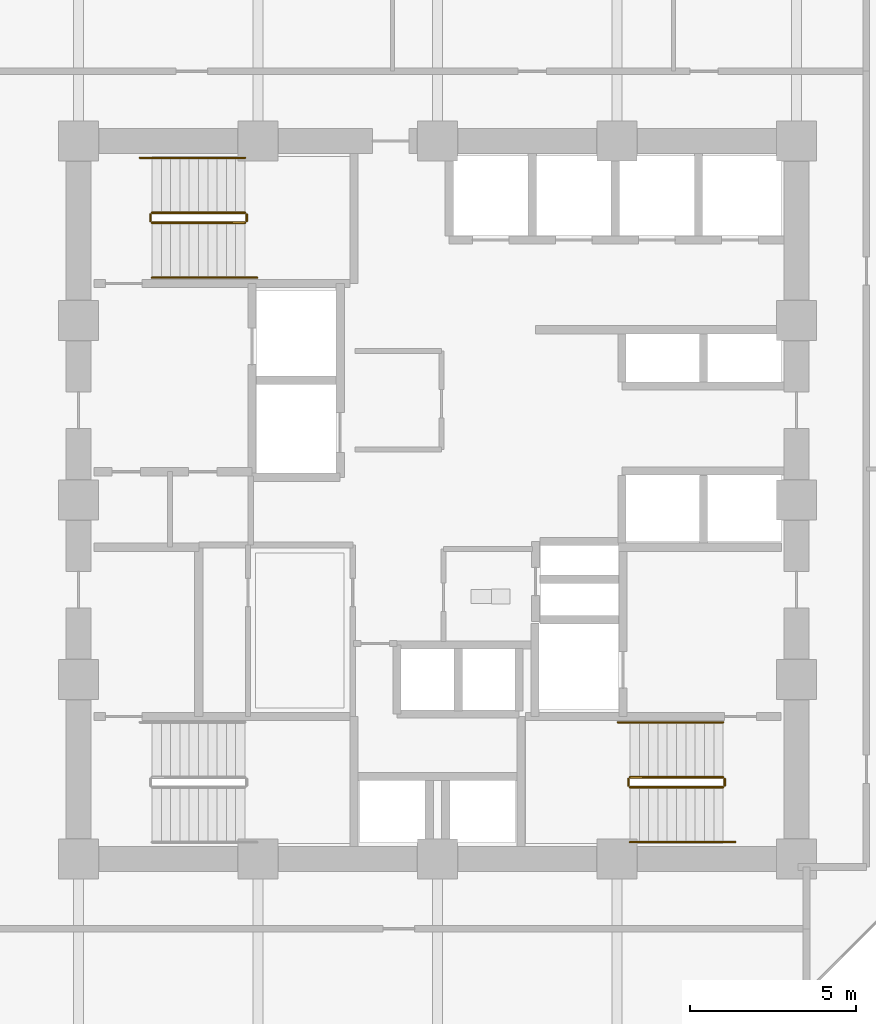
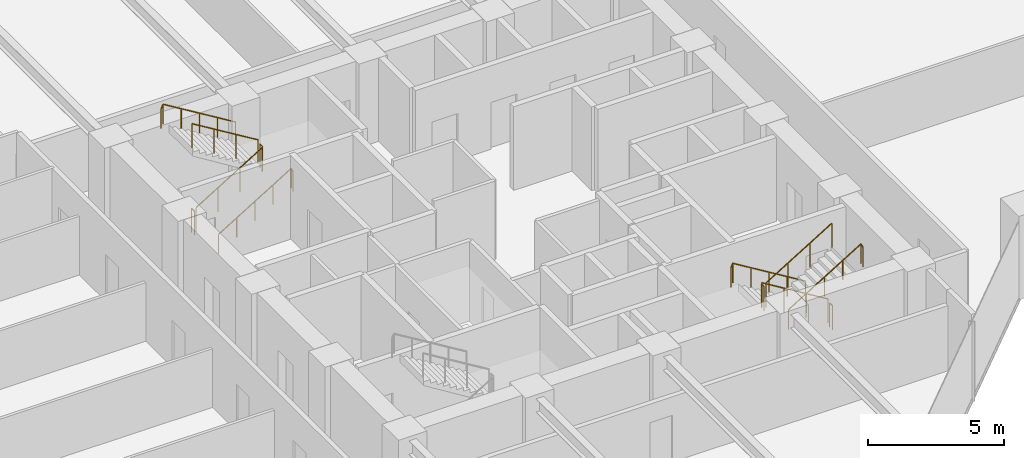
# One storey, part 24 of 25: 12 railings.
"""IFC4 building model written with IfcOpenShell, lengths in metres."""

from ifc_helpers import new_model, si_unit, direction, frame, origin, origin_2d, place, context, subcontext, project, spatial, circle, extrude, material, type_object, element, save


model = new_model("IFC4")

# Units and contexts
model_context = context("Model", 3, precision=1e-05, world=origin(), true_north=direction((0.0, 1.0)))
body_context = subcontext(model_context, "Body", "Model", "MODEL_VIEW")
ifc_project = project(units=[si_unit("LENGTHUNIT", "METRE"), si_unit("AREAUNIT", "SQUARE_METRE"), si_unit("VOLUMEUNIT", "CUBIC_METRE"), si_unit("PLANEANGLEUNIT", "RADIAN"), si_unit("MASSUNIT", "GRAM", prefix="KILO")], contexts=[model_context])

# Site, building, storey
site_placement = place(None, origin())
site = spatial("IfcSite", under=ifc_project, at=site_placement, CompositionType="ELEMENT")
building_placement = place(site_placement, origin())
building = spatial("IfcBuilding", under=site, at=building_placement, Name="Surkhivell Harbour Commons", CompositionType="ELEMENT")
storey_placement = place(building_placement, frame((0.0, 0.0, 41.25)))
storey = spatial("IfcBuildingStorey", under=building, at=storey_placement, Name="L10", CompositionType="ELEMENT", Elevation=41.25)

# Railings
ifc_material_1 = material(Name="Galvanised and painted steel S355 guard rail", Category="steel")
railing_type_1 = type_object("IfcRailingType", Name="RAL-ST-GRD1100", PredefinedType="GUARDRAIL", material=ifc_material_1)
railing_1_placement = place(storey_placement, frame((-8.590087890625, 8.340087890625, 0.17041015625)))
element("IfcRailing", 1, at=railing_1_placement, inside=storey, type_object=railing_type_1, Name="L10 ST1 stair guard 1", PredefinedType="GUARDRAIL", context=body_context, shape_type="SweptSolid", body=[
    extrude(circle(Radius=0.02392578125, at=origin_2d()), frame((0.0, 0.0, 1.076171875), z_axis=(0.854169791009, 0.0, 0.51999420009), x_axis=(0.0, 1.0, 0.0)), (0.0, 0.0, 1.0), 3.278076171875),
    extrude(circle(Radius=0.02099609375, at=origin_2d()), origin(), (0.0, 0.0, 1.0), 1.052001953125),
    extrude(circle(Radius=0.02099609375, at=origin_2d()), frame((0.933349609375, 0.0, 0.568115234375)), (0.0, 0.0, 1.0), 1.052001953125),
    extrude(circle(Radius=0.02099609375, at=origin_2d()), frame((1.86669921875, 0.0, 1.136474609375)), (0.0, 0.0, 1.0), 1.052001953125),
    extrude(circle(Radius=0.02099609375, at=origin_2d()), frame((2.800048828125, 0.0, 1.70458984375)), (0.0, 0.0, 1.0), 1.052001953125),
])
railing_2_placement = place(storey_placement, frame((-5.739990234375, 8.389892578125, 1.875)))
element("IfcRailing", 2, at=railing_2_placement, inside=storey, type_object=railing_type_1, Name="L10 ST1 stair guard 2", PredefinedType="GUARDRAIL", context=body_context, shape_type="SweptSolid", body=[
    extrude(circle(Radius=0.02392578125, at=origin_2d()), frame((0.0, 0.0, 1.076171875), z_axis=(0.0, 1.0, 0.0), x_axis=(-1.0, 0.0, 0.0)), (0.0, 0.0, 1.0), 0.2001953125),
    extrude(circle(Radius=0.02099609375, at=origin_2d()), origin(), (0.0, 0.0, 1.0), 1.052001953125),
    extrude(circle(Radius=0.02099609375, at=origin_2d()), frame((0.0, 0.2001953125, 0.0)), (0.0, 0.0, 1.0), 1.052001953125),
])
railing_3_placement = place(storey_placement, frame((-5.7900390625, 8.639892578125, 2.04541015625)))
element("IfcRailing", 3, at=railing_3_placement, inside=storey, type_object=railing_type_1, Name="L10 ST1 stair guard 3", PredefinedType="GUARDRAIL", context=body_context, shape_type="SweptSolid", body=[
    extrude(circle(Radius=0.02392578125, at=origin_2d()), frame((0.0, 0.0, 1.076171875), z_axis=(-0.854169791009, 0.0, 0.51999420009), x_axis=(0.0, -1.0, 0.0)), (0.0, 0.0, 1.0), 3.278076171875),
    extrude(circle(Radius=0.02099609375, at=origin_2d()), origin(), (0.0, 0.0, 1.0), 1.052001953125),
    extrude(circle(Radius=0.02099609375, at=origin_2d()), frame((-0.933349609375, 0.0, 0.568115234375)), (0.0, 0.0, 1.0), 1.052001953125),
    extrude(circle(Radius=0.02099609375, at=origin_2d()), frame((-1.86669921875, 0.0, 1.136474609375)), (0.0, 0.0, 1.0), 1.052001953125),
    extrude(circle(Radius=0.02099609375, at=origin_2d()), frame((-2.800048828125, 0.0, 1.70458984375)), (0.0, 0.0, 1.0), 1.052001953125),
])
railing_4_placement = place(storey_placement, frame((-8.639892578125, 8.389892578125, 0.0)))
element("IfcRailing", 4, at=railing_4_placement, inside=storey, type_object=railing_type_1, Name="L10 ST1 stair guard 4", PredefinedType="GUARDRAIL", context=body_context, shape_type="SweptSolid", body=[
    extrude(circle(Radius=0.02392578125, at=origin_2d()), frame((0.0, 0.0, 1.076171875), z_axis=(0.0, 1.0, 0.0), x_axis=(-1.0, 0.0, 0.0)), (0.0, 0.0, 1.0), 0.2001953125),
    extrude(circle(Radius=0.02099609375, at=origin_2d()), origin(), (0.0, 0.0, 1.0), 1.052001953125),
    extrude(circle(Radius=0.02099609375, at=origin_2d()), frame((0.0, 0.2001953125, 0.0)), (0.0, 0.0, 1.0), 1.052001953125),
])
railing_5_placement = place(storey_placement, frame((8.590087890625, -8.340087890625, 0.17041015625)))
element("IfcRailing", 5, at=railing_5_placement, inside=storey, type_object=railing_type_1, Name="L10 ST2 stair guard 1", PredefinedType="GUARDRAIL", context=body_context, shape_type="SweptSolid", body=[
    extrude(circle(Radius=0.02392578125, at=origin_2d()), frame((0.0, 0.0, 1.076171875), z_axis=(-0.854169791009, 0.0, 0.51999420009), x_axis=(0.0, -1.0, 0.0)), (0.0, 0.0, 1.0), 3.278076171875),
    extrude(circle(Radius=0.02099609375, at=origin_2d()), origin(), (0.0, 0.0, 1.0), 1.052001953125),
    extrude(circle(Radius=0.02099609375, at=origin_2d()), frame((-0.933349609375, 0.0, 0.568115234375)), (0.0, 0.0, 1.0), 1.052001953125),
    extrude(circle(Radius=0.02099609375, at=origin_2d()), frame((-1.86669921875, 0.0, 1.136474609375)), (0.0, 0.0, 1.0), 1.052001953125),
    extrude(circle(Radius=0.02099609375, at=origin_2d()), frame((-2.800048828125, 0.0, 1.70458984375)), (0.0, 0.0, 1.0), 1.052001953125),
])
railing_6_placement = place(storey_placement, frame((5.739990234375, -8.389892578125, 1.875)))
element("IfcRailing", 6, at=railing_6_placement, inside=storey, type_object=railing_type_1, Name="L10 ST2 stair guard 2", PredefinedType="GUARDRAIL", context=body_context, shape_type="SweptSolid", body=[
    extrude(circle(Radius=0.02392578125, at=origin_2d()), frame((0.0, 0.0, 1.076171875), z_axis=(0.0, -1.0, 0.0), x_axis=(1.0, 0.0, 0.0)), (0.0, 0.0, 1.0), 0.2001953125),
    extrude(circle(Radius=0.02099609375, at=origin_2d()), origin(), (0.0, 0.0, 1.0), 1.052001953125),
    extrude(circle(Radius=0.02099609375, at=origin_2d()), frame((0.0, -0.2001953125, 0.0)), (0.0, 0.0, 1.0), 1.052001953125),
])
railing_7_placement = place(storey_placement, frame((5.7900390625, -8.639892578125, 2.04541015625)))
element("IfcRailing", 7, at=railing_7_placement, inside=storey, type_object=railing_type_1, Name="L10 ST2 stair guard 3", PredefinedType="GUARDRAIL", context=body_context, shape_type="SweptSolid", body=[
    extrude(circle(Radius=0.02392578125, at=origin_2d()), frame((0.0, 0.0, 1.076171875), z_axis=(0.854169791009, 0.0, 0.51999420009), x_axis=(0.0, 1.0, 0.0)), (0.0, 0.0, 1.0), 3.278076171875),
    extrude(circle(Radius=0.02099609375, at=origin_2d()), origin(), (0.0, 0.0, 1.0), 1.052001953125),
    extrude(circle(Radius=0.02099609375, at=origin_2d()), frame((0.933349609375, 0.0, 0.568115234375)), (0.0, 0.0, 1.0), 1.052001953125),
    extrude(circle(Radius=0.02099609375, at=origin_2d()), frame((1.86669921875, 0.0, 1.136474609375)), (0.0, 0.0, 1.0), 1.052001953125),
    extrude(circle(Radius=0.02099609375, at=origin_2d()), frame((2.800048828125, 0.0, 1.70458984375)), (0.0, 0.0, 1.0), 1.052001953125),
])
railing_8_placement = place(storey_placement, frame((8.639892578125, -8.389892578125, 0.0)))
element("IfcRailing", 8, at=railing_8_placement, inside=storey, type_object=railing_type_1, Name="L10 ST2 stair guard 4", PredefinedType="GUARDRAIL", context=body_context, shape_type="SweptSolid", body=[
    extrude(circle(Radius=0.02392578125, at=origin_2d()), frame((0.0, 0.0, 1.076171875), z_axis=(0.0, -1.0, 0.0), x_axis=(1.0, 0.0, 0.0)), (0.0, 0.0, 1.0), 0.2001953125),
    extrude(circle(Radius=0.02099609375, at=origin_2d()), origin(), (0.0, 0.0, 1.0), 1.052001953125),
    extrude(circle(Radius=0.02099609375, at=origin_2d()), frame((0.0, -0.2001953125, 0.0)), (0.0, 0.0, 1.0), 1.052001953125),
])
ifc_material_2 = material(Name="Brushed stainless steel S355 handrail", Category="steel")
railing_type_2 = type_object("IfcRailingType", Name="RAL-ST-HND900", PredefinedType="HANDRAIL", material=ifc_material_2)
railing_9_placement = place(storey_placement, frame((-8.590087890625, 6.68994140625, 0.17041015625)))
element("IfcRailing", 9, at=railing_9_placement, inside=storey, type_object=railing_type_2, Name="L10 ST1 stair handrail 1", PredefinedType="HANDRAIL", context=body_context, shape_type="SweptSolid", body=[
    extrude(circle(Radius=0.02392578125, at=origin_2d()), frame((0.0, 0.0, 0.8759765625), z_axis=(0.854177636135, 0.0, 0.519981313056), x_axis=(0.0, 1.0, 0.0)), (0.0, 0.0, 1.0), 3.60595703125),
    extrude(circle(Radius=0.02392578125, at=origin_2d()), frame((3.080078125, 0.0, 2.7509765625), z_axis=(0.425297416671, 0.0, -0.905053648892), x_axis=(0.0, 1.0, 0.0)), (0.0, 0.0, 1.0), 0.188232421875),
    extrude(circle(Radius=0.02099609375, at=origin_2d()), origin(), (0.0, 0.0, 1.0), 0.851806640625),
    extrude(circle(Radius=0.02099609375, at=origin_2d()), frame((0.77001953125, 0.0, 0.46875)), (0.0, 0.0, 1.0), 0.851806640625),
    extrude(circle(Radius=0.02099609375, at=origin_2d()), frame((1.5400390625, 0.0, 0.9375)), (0.0, 0.0, 1.0), 0.851806640625),
    extrude(circle(Radius=0.02099609375, at=origin_2d()), frame((2.31005859375, 0.0, 1.40625)), (0.0, 0.0, 1.0), 0.851806640625),
    extrude(circle(Radius=0.02099609375, at=origin_2d()), frame((3.080078125, 0.0, 1.875)), (0.0, 0.0, 1.0), 0.851806640625),
    extrude(circle(Radius=0.02099609375, at=origin_2d()), frame((3.16015625, 0.0, 1.70458984375)), (0.0, 0.0, 1.0), 0.851806640625),
])
railing_10_placement = place(storey_placement, frame((-5.7900390625, 10.2900390625, 2.04541015625)))
element("IfcRailing", 10, at=railing_10_placement, inside=storey, type_object=railing_type_2, Name="L10 ST1 stair handrail 2", PredefinedType="HANDRAIL", context=body_context, shape_type="SweptSolid", body=[
    extrude(circle(Radius=0.02392578125, at=origin_2d()), frame((0.0, 0.0, 0.8759765625), z_axis=(-0.854177636135, 0.0, 0.519981313056), x_axis=(0.0, -1.0, 0.0)), (0.0, 0.0, 1.0), 3.60595703125),
    extrude(circle(Radius=0.02392578125, at=origin_2d()), frame((-3.080078125, 0.0, 2.7509765625), z_axis=(-0.424234432967, 0.0, -0.905552398199), x_axis=(0.0, -1.0, 0.0)), (0.0, 0.0, 1.0), 0.188232421875),
    extrude(circle(Radius=0.02099609375, at=origin_2d()), origin(), (0.0, 0.0, 1.0), 0.851806640625),
    extrude(circle(Radius=0.02099609375, at=origin_2d()), frame((-0.77001953125, 0.0, 0.46875)), (0.0, 0.0, 1.0), 0.851806640625),
    extrude(circle(Radius=0.02099609375, at=origin_2d()), frame((-1.5400390625, 0.0, 0.9375)), (0.0, 0.0, 1.0), 0.851806640625),
    extrude(circle(Radius=0.02099609375, at=origin_2d()), frame((-2.31005859375, 0.0, 1.40625)), (0.0, 0.0, 1.0), 0.851806640625),
    extrude(circle(Radius=0.02099609375, at=origin_2d()), frame((-3.080078125, 0.0, 1.875)), (0.0, 0.0, 1.0), 0.851806640625),
    extrude(circle(Radius=0.02099609375, at=origin_2d()), frame((-3.159912109375, 0.0, 1.70458984375)), (0.0, 0.0, 1.0), 0.851806640625),
])
railing_11_placement = place(storey_placement, frame((8.590087890625, -6.68994140625, 0.17041015625)))
element("IfcRailing", 11, at=railing_11_placement, inside=storey, type_object=railing_type_2, Name="L10 ST2 stair handrail 1", PredefinedType="HANDRAIL", context=body_context, shape_type="SweptSolid", body=[
    extrude(circle(Radius=0.02392578125, at=origin_2d()), frame((0.0, 0.0, 0.8759765625), z_axis=(-0.854177636135, 0.0, 0.519981313056), x_axis=(0.0, -1.0, 0.0)), (0.0, 0.0, 1.0), 3.60595703125),
    extrude(circle(Radius=0.02392578125, at=origin_2d()), frame((-3.080078125, 0.0, 2.7509765625), z_axis=(-0.425297416671, 0.0, -0.905053648892), x_axis=(0.0, -1.0, 0.0)), (0.0, 0.0, 1.0), 0.188232421875),
    extrude(circle(Radius=0.02099609375, at=origin_2d()), origin(), (0.0, 0.0, 1.0), 0.851806640625),
    extrude(circle(Radius=0.02099609375, at=origin_2d()), frame((-0.77001953125, 0.0, 0.46875)), (0.0, 0.0, 1.0), 0.851806640625),
    extrude(circle(Radius=0.02099609375, at=origin_2d()), frame((-1.5400390625, 0.0, 0.9375)), (0.0, 0.0, 1.0), 0.851806640625),
    extrude(circle(Radius=0.02099609375, at=origin_2d()), frame((-2.31005859375, 0.0, 1.40625)), (0.0, 0.0, 1.0), 0.851806640625),
    extrude(circle(Radius=0.02099609375, at=origin_2d()), frame((-3.080078125, 0.0, 1.875)), (0.0, 0.0, 1.0), 0.851806640625),
    extrude(circle(Radius=0.02099609375, at=origin_2d()), frame((-3.16015625, 0.0, 1.70458984375)), (0.0, 0.0, 1.0), 0.851806640625),
])
railing_12_placement = place(storey_placement, frame((5.7900390625, -10.2900390625, 2.04541015625)))
element("IfcRailing", 12, at=railing_12_placement, inside=storey, type_object=railing_type_2, Name="L10 ST2 stair handrail 2", PredefinedType="HANDRAIL", context=body_context, shape_type="SweptSolid", body=[
    extrude(circle(Radius=0.02392578125, at=origin_2d()), frame((0.0, 0.0, 0.8759765625), z_axis=(0.854177636135, 0.0, 0.519981313056), x_axis=(0.0, 1.0, 0.0)), (0.0, 0.0, 1.0), 3.60595703125),
    extrude(circle(Radius=0.02392578125, at=origin_2d()), frame((3.080078125, 0.0, 2.7509765625), z_axis=(0.424234432967, 0.0, -0.905552398199), x_axis=(0.0, 1.0, 0.0)), (0.0, 0.0, 1.0), 0.188232421875),
    extrude(circle(Radius=0.02099609375, at=origin_2d()), origin(), (0.0, 0.0, 1.0), 0.851806640625),
    extrude(circle(Radius=0.02099609375, at=origin_2d()), frame((0.77001953125, 0.0, 0.46875)), (0.0, 0.0, 1.0), 0.851806640625),
    extrude(circle(Radius=0.02099609375, at=origin_2d()), frame((1.5400390625, 0.0, 0.9375)), (0.0, 0.0, 1.0), 0.851806640625),
    extrude(circle(Radius=0.02099609375, at=origin_2d()), frame((2.31005859375, 0.0, 1.40625)), (0.0, 0.0, 1.0), 0.851806640625),
    extrude(circle(Radius=0.02099609375, at=origin_2d()), frame((3.080078125, 0.0, 1.875)), (0.0, 0.0, 1.0), 0.851806640625),
    extrude(circle(Radius=0.02099609375, at=origin_2d()), frame((3.159912109375, 0.0, 1.70458984375)), (0.0, 0.0, 1.0), 0.851806640625),
])

save(model, "model.ifc")
